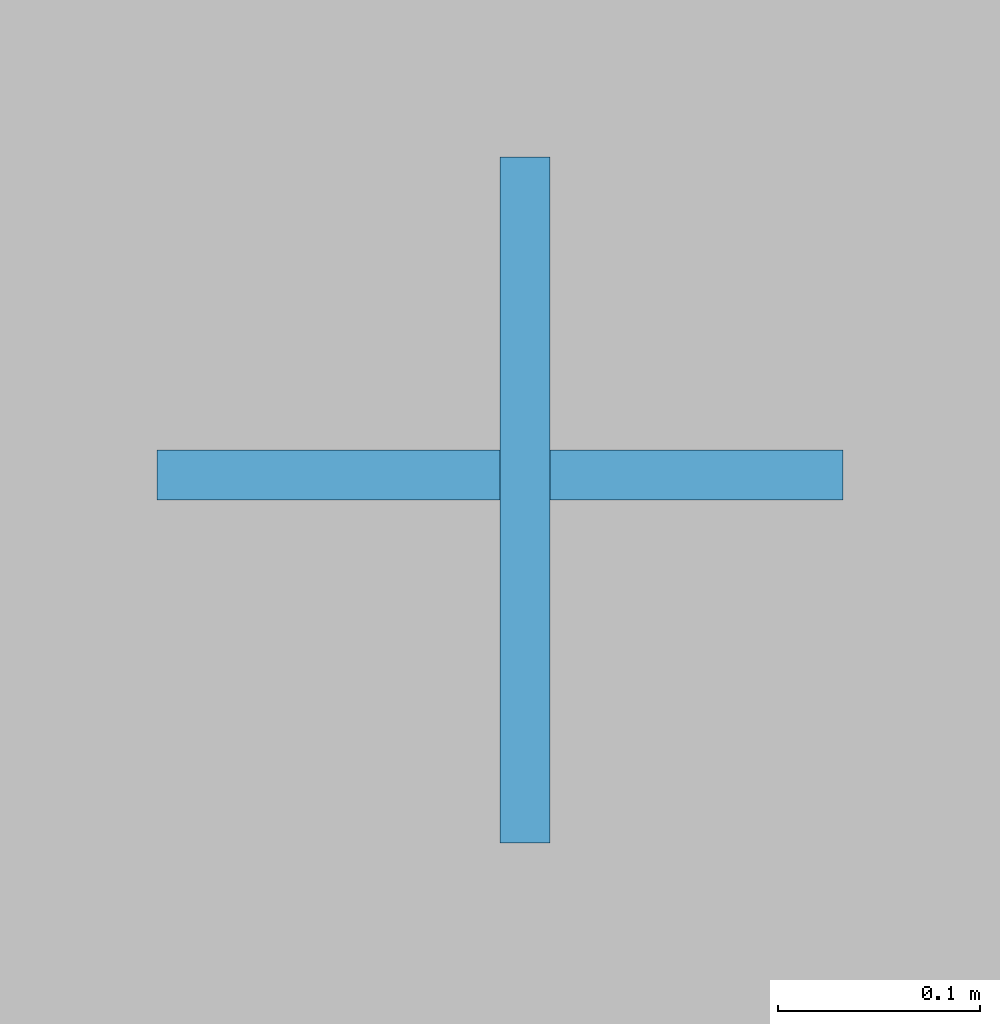
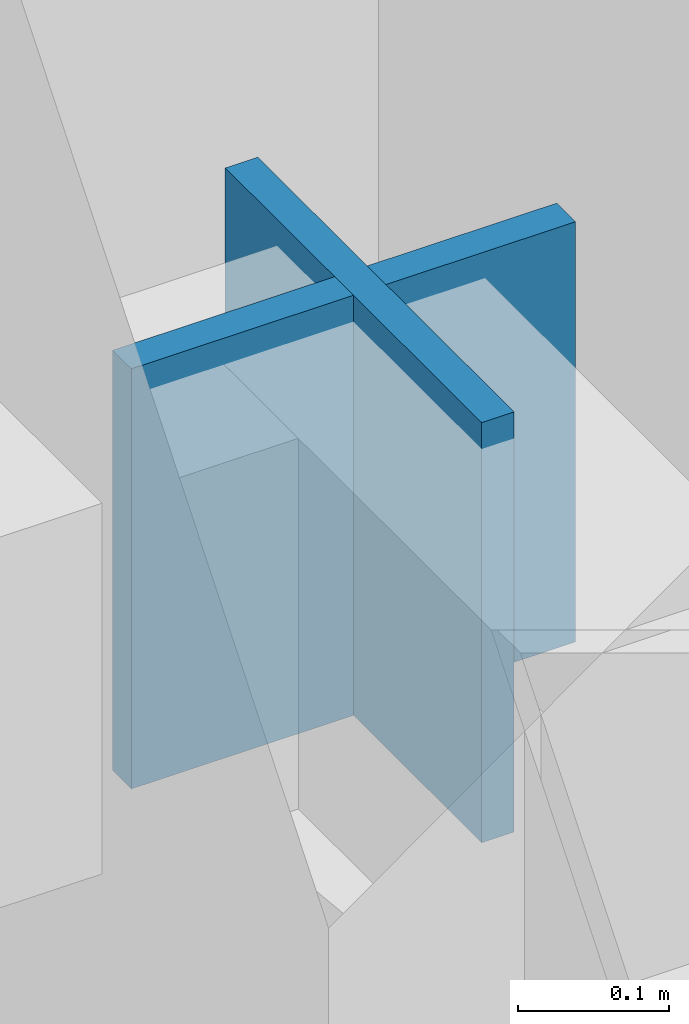
# One storey, part 158 of 199: 2 plates.
"""IFC4 building model written with IfcOpenShell, lengths in metres."""

from ifc_helpers import new_model, si_unit, direction, frame, origin, origin_2d, place, context, subcontext, project, spatial, rectangle, extrude, material, layer, layer_set, type_object, element, save


model = new_model("IFC4")

# Units and contexts
model_context = context("Model", 3, precision=1e-05, world=origin(), true_north=direction((0.0, 1.0)))
body_context = subcontext(model_context, "Body", "Model", "MODEL_VIEW")
ifc_project = project(units=[si_unit("LENGTHUNIT", "METRE"), si_unit("AREAUNIT", "SQUARE_METRE"), si_unit("VOLUMEUNIT", "CUBIC_METRE"), si_unit("PLANEANGLEUNIT", "RADIAN"), si_unit("MASSUNIT", "GRAM", prefix="KILO")], contexts=[model_context])

# Site, building, storey
site_placement = place(None, origin())
site = spatial("IfcSite", under=ifc_project, at=site_placement, CompositionType="ELEMENT")
building_placement = place(site_placement, origin())
building = spatial("IfcBuilding", under=site, at=building_placement, Name="Tarnwether General Hospital", CompositionType="ELEMENT")
storey_placement = place(building_placement, origin())
storey = spatial("IfcBuildingStorey", under=building, at=storey_placement, Name="L00", CompositionType="ELEMENT", Elevation=0.0)

# Plates
ifc_material = material(Name="Steel Grade 350 (350 MPa)", Category="steel")
ifc_layer = layer(ifc_material, 0.02490234375)
ifc_layer_set = layer_set([ifc_layer], Name="Steel Grade 350 (350 MPa)")
plate_type = type_object("IfcPlateType", Name="PT-GUS2", PredefinedType="USERDEFINED", material=ifc_layer_set)
for number, where, z_axis, x_axis, name in (
    (1, (192.012451171875, 126.0, 4.125), (0.0, 0.0, 1.0), (1.0, 0.0, 0.0), "Hollow Section Welded End Cap Plate 0898"),
    (2, (192.0, 126.012451171875, 4.125), (0.0, 0.0, 1.0), (0.0, 1.0, 0.0), "Hollow Section Welded End Cap Plate 0906"),
):
    element("IfcPlate", number, at=place(storey_placement, frame(where, z_axis=z_axis, x_axis=x_axis)), inside=storey, type_object=plate_type, Name=name, ObjectType="GUSSET", PredefinedType="USERDEFINED", context=body_context, shape_type="SweptSolid", body=[
        extrude(rectangle(XDim=0.02490234375, YDim=0.340087890625, at=origin_2d()), origin(), (0.0, 0.0, 1.0), 0.340087890625),
    ])

save(model, "model.ifc")
